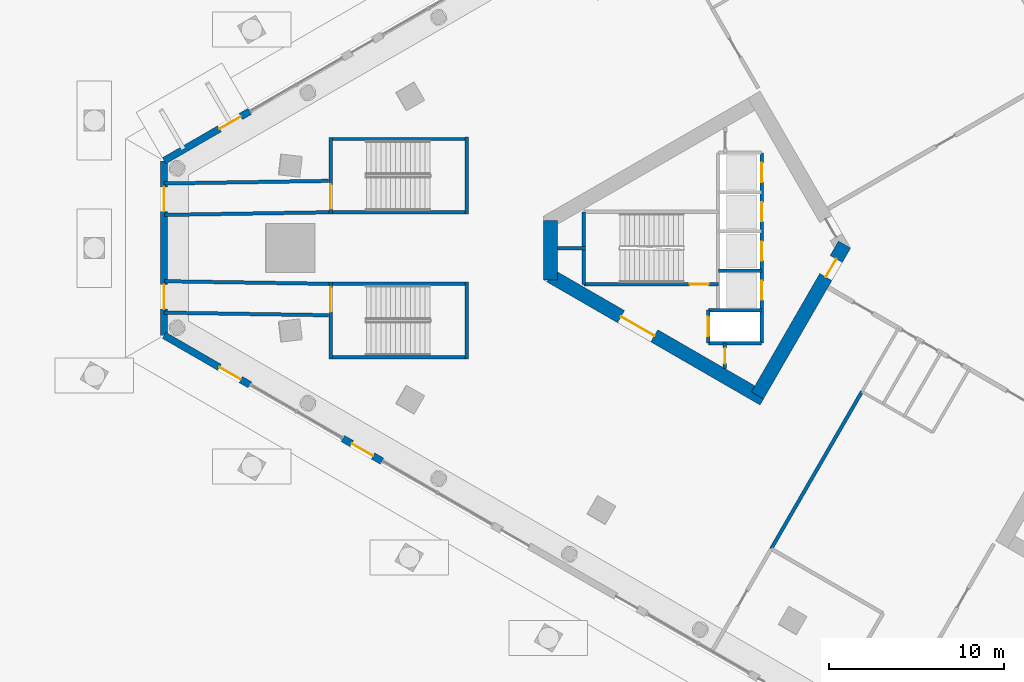
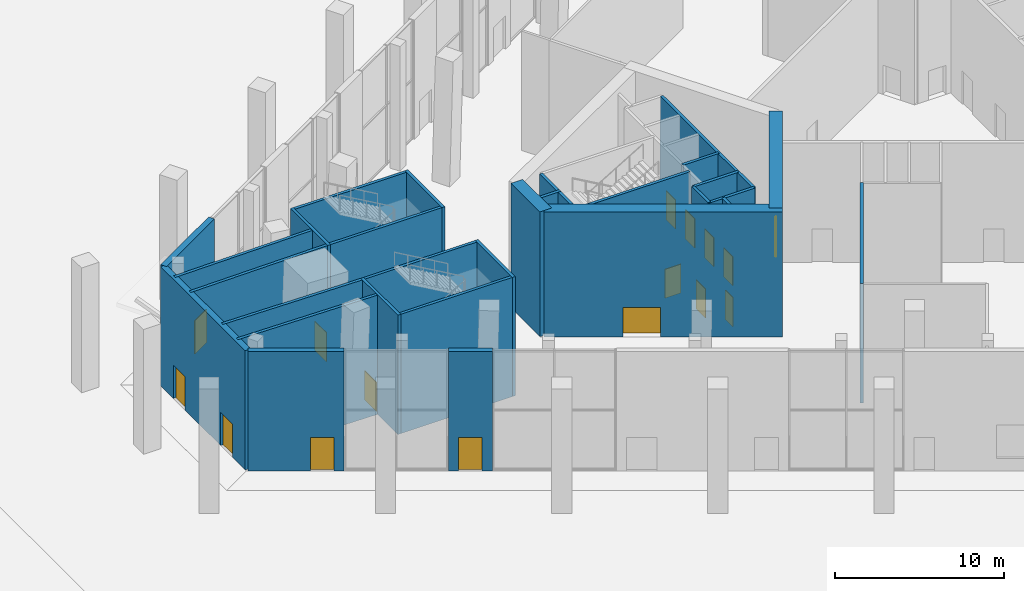
# One storey, part 26 of 63: 29 walls, 16 doors, 16 openings.
"""IFC4 building model written with IfcOpenShell, lengths in metres."""

from ifc_helpers import new_model, si_unit, direction, frame, frame_2d, origin, place, context, subcontext, project, spatial, rectangle, extrude, material, layer, layer_set, type_object, element, fill, save


model = new_model("IFC4")

# Units and contexts
model_context = context("Model", 3, precision=1e-05, world=origin(), true_north=direction((0.0, 1.0)))
body_context = subcontext(model_context, "Body", "Model", "MODEL_VIEW")
ifc_project = project(units=[si_unit("LENGTHUNIT", "METRE"), si_unit("AREAUNIT", "SQUARE_METRE"), si_unit("VOLUMEUNIT", "CUBIC_METRE"), si_unit("PLANEANGLEUNIT", "RADIAN"), si_unit("MASSUNIT", "GRAM", prefix="KILO")], contexts=[model_context])

# Site, building, storey
site_placement = place(None, origin())
site = spatial("IfcSite", under=ifc_project, at=site_placement, CompositionType="ELEMENT")
building_placement = place(site_placement, origin())
building = spatial("IfcBuilding", under=site, at=building_placement, Name="Jabali Bay Hotel Tower and Convention Centre", CompositionType="ELEMENT")
storey_placement = place(building_placement, origin())
storey = spatial("IfcBuildingStorey", under=building, at=storey_placement, Name="L00", CompositionType="ELEMENT", Elevation=0.0)

# Wall
ifc_material_1 = material(Name="Concrete C40", Category="concrete")
ifc_layer_1 = layer(ifc_material_1, 0.199951171875)
ifc_layer_set_1 = layer_set([ifc_layer_1], Name="Concrete C40")
wall_type_1 = type_object("IfcWallType", Name="Core partition wall 200", PredefinedType="PARTITIONING", material=ifc_layer_set_1)
wall_1_placement = place(storey_placement, frame((50.820068359375, 80.0, 0.0), z_axis=(0.0, 0.0, 1.0), x_axis=(-1.0, 0.0, 0.0)))
element("IfcWall", 1, at=wall_1_placement, inside=storey, type_object=wall_type_1, Name="Core wall 0.4 L00", PredefinedType="PARTITIONING", context=body_context, shape_type="SweptSolid", body=[
    extrude(rectangle(XDim=1.623046875, YDim=0.199951171875, at=frame_2d((0.8115234375, 0.0))), origin(), (0.0, 0.0, 1.0), 8.60009765625),
])

# Wall, opening, door
wall_2_placement = place(storey_placement, frame((58.800048828125, 74.550048828125, 0.0), z_axis=(0.0, 0.0, 1.0), x_axis=(0.0, -1.0, 0.0)))
wall_2 = element("IfcWall", 2, at=wall_2_placement, inside=storey, type_object=wall_type_1, Name="Core wall 0.11 L00", PredefinedType="PARTITIONING", context=body_context, shape_type="SweptSolid", body=[
    extrude(rectangle(XDim=1.455078125, YDim=0.199951171875, at=frame_2d((0.7275390625, 0.0))), origin(), (0.0, 0.0, 1.0), 8.60009765625),
])
opening_1_placement = place(wall_2_placement, frame((0.277587890625, 0.0, 0.0)))
opening_1 = element("IfcOpeningElement", 3, at=opening_1_placement, cuts=wall_2, Name="Opening D108", PredefinedType="OPENING", context=body_context, shape_type="SweptSolid", body=[
    extrude(rectangle(XDim=0.89990234375, YDim=2.10009765625, at=frame_2d((0.449951171875, 1.050048828125))), frame((0.0, 0.1103515625, 0.0), z_axis=(0.0, -1.0, 0.0), x_axis=(1.0, 0.0, 0.0)), (0.0, 0.0, 1.0), 0.220947265625),
])
ifc_material_2 = material(Name="Fire-rated steel door", Category="steel")
door_type_1 = type_object("IfcDoorType", Name="Vestibule fire door 900 x 2100", OperationType="NOTDEFINED", PredefinedType="NOTDEFINED", material=ifc_material_2)
door_1_placement = place(opening_1_placement, origin())
door_1 = element("IfcDoor", 4, at=door_1_placement, inside=storey, type_object=door_type_1, Name="Vestibule fire door D108", OperationType="SINGLE_SWING_LEFT", OverallHeight=2.10009765625, OverallWidth=0.89990234375, PredefinedType="NOTDEFINED", context=body_context, shape_type="SweptSolid", body=[
    extrude(rectangle(XDim=0.89990234375, YDim=2.10009765625, at=frame_2d((0.449951171875, 1.050048828125))), frame((0.0, 0.02490234375, 0.0), z_axis=(0.0, -1.0, 0.0), x_axis=(1.0, 0.0, 0.0)), (0.0, 0.0, 1.0), 0.050048828125),
])
fill(opening_1, door_1)

# Wall
ifc_layer_2 = layer(ifc_material_1, 0.199951171875)
ifc_layer_set_2 = layer_set([ifc_layer_2], Name="Concrete C40")
wall_type_2 = type_object("IfcWallType", Name="Core stair wall 200", PredefinedType="SOLIDWALL", material=ifc_layer_set_2)
wall_3_placement = place(storey_placement, frame((60.89990234375, 78.699951171875, 0.0), z_axis=(0.0, 0.0, 1.0), x_axis=(-1.0, 0.0, 0.0)))
element("IfcWall", 5, at=wall_3_placement, inside=storey, type_object=wall_type_2, Name="Core wall 0.5 L00", PredefinedType="SOLIDWALL", context=body_context, shape_type="SweptSolid", body=[
    extrude(rectangle(XDim=2.47998046875, YDim=0.199951171875, at=frame_2d((1.239990234375, 0.0))), origin(), (0.0, 0.0, 1.0), 8.60009765625),
])

# Wall, opening, door
wall_4_placement = place(storey_placement, frame((58.419921875, 77.925048828125, 0.0), z_axis=(0.0, 0.0, 1.0), x_axis=(-1.0, 0.0, 0.0)))
wall_4 = element("IfcWall", 6, at=wall_4_placement, inside=storey, type_object=wall_type_2, Name="Core wall 0.6 L00", PredefinedType="SOLIDWALL", context=body_context, shape_type="SweptSolid", body=[
    extrude(rectangle(XDim=7.699951171875, YDim=0.199951171875, at=frame_2d((3.85009765625, 0.0))), origin(), (0.0, 0.0, 1.0), 8.60009765625),
])
opening_2_placement = place(wall_4_placement, frame((0.550048828125, 0.0, 0.0)))
opening_2 = element("IfcOpeningElement", 7, at=opening_2_placement, cuts=wall_4, Name="Opening D110", PredefinedType="OPENING", context=body_context, shape_type="SweptSolid", body=[
    extrude(rectangle(XDim=1.10009765625, YDim=2.10009765625, at=frame_2d((0.550048828125, 1.050048828125))), frame((0.0, 0.1103515625, 0.0), z_axis=(0.0, -1.0, 0.0), x_axis=(1.0, 0.0, 0.0)), (0.0, 0.0, 1.0), 0.220947265625),
])
door_type_2 = type_object("IfcDoorType", Name="Stair fire door 1100 x 2100", OperationType="NOTDEFINED", PredefinedType="NOTDEFINED", material=ifc_material_2)
door_2_placement = place(opening_2_placement, origin())
door_2 = element("IfcDoor", 8, at=door_2_placement, inside=storey, type_object=door_type_2, Name="Stair fire door D110", OperationType="SINGLE_SWING_RIGHT", OverallHeight=2.10009765625, OverallWidth=1.10009765625, PredefinedType="NOTDEFINED", context=body_context, shape_type="SweptSolid", body=[
    extrude(rectangle(XDim=1.10009765625, YDim=2.10009765625, at=frame_2d((0.550048828125, 1.050048828125))), frame((0.0, 0.02490234375, 0.0), z_axis=(0.0, -1.0, 0.0), x_axis=(1.0, 0.0, 0.0)), (0.0, 0.0, 1.0), 0.050048828125),
])
fill(opening_2, door_2)

# Walls
for number, where, z_axis, x_axis, name in (
    (9, (60.89990234375, 76.449951171875, 0.0), (0.0, 0.0, 1.0), (-1.0, 0.0, 0.0), "Core wall 0.7 L00"),
    (10, (60.89990234375, 74.550048828125, 0.0), (0.0, 0.0, 1.0), (-1.0, 0.0, 0.0), "Core wall 0.8 L00"),
):
    element("IfcWall", number, at=place(storey_placement, frame(where, z_axis=z_axis, x_axis=x_axis)), inside=storey, type_object=wall_type_2, Name=name, PredefinedType="SOLIDWALL", context=body_context, shape_type="SweptSolid", body=[
        extrude(rectangle(XDim=3.0498046875, YDim=0.199951171875, at=frame_2d((1.52490234375, 0.0))), origin(), (0.0, 0.0, 1.0), 8.60009765625),
    ])

# Wall, openings, doors
wall_5_placement = place(storey_placement, frame((60.89990234375, 85.449951171875, 0.0), z_axis=(0.0, 0.0, 1.0), x_axis=(0.0, -1.0, 0.0)))
wall_5 = element("IfcWall", 11, at=wall_5_placement, inside=storey, type_object=wall_type_2, Name="Core wall 0.9 L00", PredefinedType="SOLIDWALL", context=body_context, shape_type="SweptSolid", body=[
    extrude(rectangle(XDim=10.89990234375, YDim=0.199951171875, at=frame_2d((5.449951171875, 0.0))), origin(), (0.0, 0.0, 1.0), 8.60009765625),
])
opening_3_placement = place(wall_5_placement, frame((0.574951171875, 0.0, 0.0)))
opening_3 = element("IfcOpeningElement", 12, at=opening_3_placement, cuts=wall_5, Name="Opening LD1-L00", PredefinedType="OPENING", context=body_context, shape_type="SweptSolid", body=[
    extrude(rectangle(XDim=1.10009765625, YDim=2.10009765625, at=frame_2d((0.550048828125, 1.050048828125))), frame((0.0, 0.1103515625, 0.0), z_axis=(0.0, -1.0, 0.0), x_axis=(1.0, 0.0, 0.0)), (0.0, 0.0, 1.0), 0.220947265625),
])
opening_4_placement = place(wall_5_placement, frame((2.824951171875, 0.0, 0.0)))
opening_4 = element("IfcOpeningElement", 13, at=opening_4_placement, cuts=wall_5, Name="Opening LD2-L00", PredefinedType="OPENING", context=body_context, shape_type="SweptSolid", body=[
    extrude(rectangle(XDim=1.10009765625, YDim=2.10009765625, at=frame_2d((0.550048828125, 1.050048828125))), frame((0.0, 0.1103515625, 0.0), z_axis=(0.0, -1.0, 0.0), x_axis=(1.0, 0.0, 0.0)), (0.0, 0.0, 1.0), 0.220947265625),
])
opening_5_placement = place(wall_5_placement, frame((5.074951171875, 0.0, 0.0)))
opening_5 = element("IfcOpeningElement", 14, at=opening_5_placement, cuts=wall_5, Name="Opening LD3-L00", PredefinedType="OPENING", context=body_context, shape_type="SweptSolid", body=[
    extrude(rectangle(XDim=1.10009765625, YDim=2.10009765625, at=frame_2d((0.550048828125, 1.050048828125))), frame((0.0, 0.1103515625, 0.0), z_axis=(0.0, -1.0, 0.0), x_axis=(1.0, 0.0, 0.0)), (0.0, 0.0, 1.0), 0.220947265625),
])
opening_6_placement = place(wall_5_placement, frame((7.324951171875, 0.0, 0.0)))
opening_6 = element("IfcOpeningElement", 15, at=opening_6_placement, cuts=wall_5, Name="Opening LD4-L00", PredefinedType="OPENING", context=body_context, shape_type="SweptSolid", body=[
    extrude(rectangle(XDim=1.10009765625, YDim=2.10009765625, at=frame_2d((0.550048828125, 1.050048828125))), frame((0.0, 0.1103515625, 0.0), z_axis=(0.0, -1.0, 0.0), x_axis=(1.0, 0.0, 0.0)), (0.0, 0.0, 1.0), 0.220947265625),
])
ifc_material_3 = material(Name="Stainless steel landing door", Category="steel")
door_type_3 = type_object("IfcDoorType", Name="Landing door 1100 x 2100", OperationType="NOTDEFINED", PredefinedType="NOTDEFINED", material=ifc_material_3)
door_3_placement = place(opening_3_placement, origin())
door_3 = element("IfcDoor", 16, at=door_3_placement, inside=storey, type_object=door_type_3, Name="Landing doors LD1-L00", OperationType="SLIDING_TO_RIGHT", OverallHeight=2.10009765625, OverallWidth=1.10009765625, PredefinedType="NOTDEFINED", context=body_context, shape_type="SweptSolid", body=[
    extrude(rectangle(XDim=1.10009765625, YDim=2.10009765625, at=frame_2d((0.550048828125, 1.050048828125))), frame((0.0, 0.02490234375, 0.0), z_axis=(0.0, -1.0, 0.0), x_axis=(1.0, 0.0, 0.0)), (0.0, 0.0, 1.0), 0.050048828125),
])
fill(opening_3, door_3)
door_4_placement = place(opening_4_placement, origin())
door_4 = element("IfcDoor", 17, at=door_4_placement, inside=storey, type_object=door_type_3, Name="Landing doors LD2-L00", OperationType="SLIDING_TO_LEFT", OverallHeight=2.10009765625, OverallWidth=1.10009765625, PredefinedType="NOTDEFINED", context=body_context, shape_type="SweptSolid", body=[
    extrude(rectangle(XDim=1.10009765625, YDim=2.10009765625, at=frame_2d((0.550048828125, 1.050048828125))), frame((0.0, 0.02490234375, 0.0), z_axis=(0.0, -1.0, 0.0), x_axis=(1.0, 0.0, 0.0)), (0.0, 0.0, 1.0), 0.050048828125),
])
fill(opening_4, door_4)
door_5_placement = place(opening_5_placement, origin())
door_5 = element("IfcDoor", 18, at=door_5_placement, inside=storey, type_object=door_type_3, Name="Landing doors LD3-L00", OperationType="SLIDING_TO_RIGHT", OverallHeight=2.10009765625, OverallWidth=1.10009765625, PredefinedType="NOTDEFINED", context=body_context, shape_type="SweptSolid", body=[
    extrude(rectangle(XDim=1.10009765625, YDim=2.10009765625, at=frame_2d((0.550048828125, 1.050048828125))), frame((0.0, 0.02490234375, 0.0), z_axis=(0.0, -1.0, 0.0), x_axis=(1.0, 0.0, 0.0)), (0.0, 0.0, 1.0), 0.050048828125),
])
fill(opening_5, door_5)
door_6_placement = place(opening_6_placement, origin())
door_6 = element("IfcDoor", 19, at=door_6_placement, inside=storey, type_object=door_type_3, Name="Landing doors LD4-L00", OperationType="SLIDING_TO_LEFT", OverallHeight=2.10009765625, OverallWidth=1.10009765625, PredefinedType="NOTDEFINED", context=body_context, shape_type="SweptSolid", body=[
    extrude(rectangle(XDim=1.10009765625, YDim=2.10009765625, at=frame_2d((0.550048828125, 1.050048828125))), frame((0.0, 0.02490234375, 0.0), z_axis=(0.0, -1.0, 0.0), x_axis=(1.0, 0.0, 0.0)), (0.0, 0.0, 1.0), 0.050048828125),
])
fill(opening_6, door_6)

# Wall, opening, door
wall_6_placement = place(storey_placement, frame((57.85009765625, 76.449951171875, 0.0), z_axis=(0.0, 0.0, 1.0), x_axis=(0.0, -1.0, 0.0)))
wall_6 = element("IfcWall", 20, at=wall_6_placement, inside=storey, type_object=wall_type_2, Name="Core wall 0.13 L00", PredefinedType="SOLIDWALL", context=body_context, shape_type="SweptSolid", body=[
    extrude(rectangle(XDim=1.89990234375, YDim=0.199951171875, at=frame_2d((0.949951171875, 0.0))), origin(), (0.0, 0.0, 1.0), 8.60009765625),
])
opening_7_placement = place(wall_6_placement, frame((0.39990234375, 0.0, 0.0)))
opening_7 = element("IfcOpeningElement", 21, at=opening_7_placement, cuts=wall_6, Name="Opening LD5-L00", PredefinedType="OPENING", context=body_context, shape_type="SweptSolid", body=[
    extrude(rectangle(XDim=1.10009765625, YDim=2.10009765625, at=frame_2d((0.550048828125, 1.050048828125))), frame((0.0, 0.1103515625, 0.0), z_axis=(0.0, -1.0, 0.0), x_axis=(1.0, 0.0, 0.0)), (0.0, 0.0, 1.0), 0.220947265625),
])
door_7_placement = place(opening_7_placement, origin())
door_7 = element("IfcDoor", 22, at=door_7_placement, inside=storey, type_object=door_type_3, Name="Landing doors LD5-L00", OperationType="SLIDING_TO_RIGHT", OverallHeight=2.10009765625, OverallWidth=1.10009765625, PredefinedType="NOTDEFINED", context=body_context, shape_type="SweptSolid", body=[
    extrude(rectangle(XDim=1.10009765625, YDim=2.10009765625, at=frame_2d((0.550048828125, 1.050048828125))), frame((0.0, 0.02490234375, 0.0), z_axis=(0.0, -1.0, 0.0), x_axis=(1.0, 0.0, 0.0)), (0.0, 0.0, 1.0), 0.050048828125),
])
fill(opening_7, door_7)

# Walls
wall_7_placement = place(storey_placement, frame((50.719970703125, 82.074951171875, 0.0), z_axis=(0.0, 0.0, 1.0), x_axis=(0.0, -1.0, 0.0)))
element("IfcWall", 23, at=wall_7_placement, inside=storey, type_object=wall_type_2, Name="Core wall 0.14 L00", PredefinedType="SOLIDWALL", context=body_context, shape_type="SweptSolid", body=[
    extrude(rectangle(XDim=4.14990234375, YDim=0.199951171875, at=frame_2d((2.074951171875, 0.0))), origin(), (0.0, 0.0, 1.0), 8.60009765625),
])
ifc_material_4 = material(Name="Concrete C60", Category="concrete")
ifc_layer_3 = layer(ifc_material_4, 0.800048828125)
ifc_layer_set_3 = layer_set([ifc_layer_3], Name="Concrete C60")
wall_type_3 = type_object("IfcWallType", Name="Core wall 800", PredefinedType="SHEAR", material=ifc_layer_set_3)
wall_8_placement = place(storey_placement, frame((48.796875, 81.591796875, 0.0), z_axis=(0.0, 0.0, 1.0), x_axis=(0.0, -1.0, 0.0)))
element("IfcWall", 24, at=wall_8_placement, inside=storey, type_object=wall_type_3, Name="Core wall 1.3 L00", PredefinedType="SHEAR", context=body_context, shape_type="SweptSolid", body=[
    extrude(rectangle(XDim=3.41455078125, YDim=0.800048828125, at=frame_2d((1.707275390625, 0.0))), origin(), (0.0, 0.0, 1.0), 9.0),
])

# Wall, opening, door
wall_9_placement = place(storey_placement, frame((48.796875, 78.408203125, 0.0), z_axis=(0.0, 0.0, 1.0), x_axis=(0.866032504327, -0.499987701298, 0.0)))
wall_9 = element("IfcWall", 25, at=wall_9_placement, inside=storey, type_object=wall_type_3, Name="Core wall 1.4 L00", PredefinedType="SHEAR", context=body_context, shape_type="SweptSolid", body=[
    extrude(rectangle(XDim=14.102294921875, YDim=0.800048828125, at=frame_2d((7.05126953125, 0.0))), origin(), (0.0, 0.0, 1.0), 9.0),
])
opening_8_placement = place(wall_9_placement, frame((4.677001953125, 0.0, 0.0)))
opening_8 = element("IfcOpeningElement", 26, at=opening_8_placement, cuts=wall_9, Name="Opening D111", PredefinedType="OPENING", context=body_context, shape_type="SweptSolid", body=[
    extrude(rectangle(XDim=2.199951171875, YDim=2.10009765625, at=frame_2d((1.10009765625, 1.050048828125))), frame((0.0, 0.41064453125, 0.0), z_axis=(0.0, -1.0, 0.0), x_axis=(1.0, 0.0, 0.0)), (0.0, 0.0, 1.0), 0.821044921875),
])
door_type_4 = type_object("IfcDoorType", Name="Stair exit door 2200 x 2100", OperationType="NOTDEFINED", PredefinedType="NOTDEFINED", material=ifc_material_2)
door_8_placement = place(opening_8_placement, origin())
door_8 = element("IfcDoor", 27, at=door_8_placement, inside=storey, type_object=door_type_4, Name="Stair exit door D111", OperationType="SINGLE_SWING_RIGHT", OverallHeight=2.10009765625, OverallWidth=2.199951171875, PredefinedType="NOTDEFINED", context=body_context, shape_type="SweptSolid", body=[
    extrude(rectangle(XDim=2.199951171875, YDim=2.10009765625, at=frame_2d((1.10009765625, 1.050048828125))), frame((0.0, 0.02490234375, 0.0), z_axis=(0.0, -1.0, 0.0), x_axis=(1.0, 0.0, 0.0)), (0.0, 0.0, 1.0), 0.050048828125),
])
fill(opening_8, door_8)

wall_10_placement = place(storey_placement, frame((60.66357421875, 71.55712890625, 0.0), z_axis=(0.0, 0.0, 1.0), x_axis=(0.50000409368, 0.866023040284, 0.0)))
wall_10 = element("IfcWall", 28, at=wall_10_placement, inside=storey, type_object=wall_type_3, Name="Core wall 1.5 L00", PredefinedType="SHEAR", context=body_context, shape_type="SweptSolid", body=[
    extrude(rectangle(XDim=9.97998046875, YDim=0.800048828125, at=frame_2d((4.989990234375, 0.0))), origin(), (0.0, 0.0, 1.0), 9.0),
])
opening_9_placement = place(wall_10_placement, frame((7.830078125, 0.0, 0.0)))
opening_9 = element("IfcOpeningElement", 29, at=opening_9_placement, cuts=wall_10, Name="Opening D107", PredefinedType="OPENING", context=body_context, shape_type="SweptSolid", body=[
    extrude(rectangle(XDim=1.199951171875, YDim=2.10009765625, at=frame_2d((0.60009765625, 1.050048828125))), frame((0.0, 0.41064453125, 0.0), z_axis=(0.0, -1.0, 0.0), x_axis=(1.0, 0.0, 0.0)), (0.0, 0.0, 1.0), 0.821044921875),
])
door_type_5 = type_object("IfcDoorType", Name="Corridor end fire door 1200 x 2100", OperationType="NOTDEFINED", PredefinedType="NOTDEFINED", material=ifc_material_2)
door_9_placement = place(opening_9_placement, origin())
door_9 = element("IfcDoor", 30, at=door_9_placement, inside=storey, type_object=door_type_5, Name="Corridor end fire door D107", OperationType="SINGLE_SWING_LEFT", OverallHeight=2.10009765625, OverallWidth=1.199951171875, PredefinedType="NOTDEFINED", context=body_context, shape_type="SweptSolid", body=[
    extrude(rectangle(XDim=1.199951171875, YDim=2.10009765625, at=frame_2d((0.60009765625, 1.050048828125))), frame((0.0, 0.02490234375, 0.0), z_axis=(0.0, -1.0, 0.0), x_axis=(1.0, 0.0, 0.0)), (0.0, 0.0, 1.0), 0.050048828125),
])
fill(opening_9, door_9)

# Wall
ifc_material_5 = material(Name="Plasterboard on steel stud", Category="steel")
ifc_layer_4 = layer(ifc_material_5, 0.199951171875)
ifc_layer_set_4 = layer_set([ifc_layer_4], Name="Plasterboard on steel stud")
wall_type_4 = type_object("IfcWallType", Name="Partition 200 party", PredefinedType="PARTITIONING", material=ifc_layer_set_4)
wall_11_placement = place(storey_placement, frame((61.44921875, 62.7666015625, 0.0), z_axis=(0.0, 0.0, 1.0), x_axis=(0.499999493275, 0.866025696342, 0.0)))
element("IfcWall", 31, at=wall_11_placement, inside=storey, type_object=wall_type_4, Name="Partition P01 L00 010", PredefinedType="PARTITIONING", context=body_context, shape_type="SweptSolid", body=[
    extrude(rectangle(XDim=10.39990234375, YDim=0.199951171875, at=frame_2d((5.199951171875, 0.0))), origin(), (0.0, 0.0, 1.0), 8.60009765625),
])

# Wall, opening, door
ifc_layer_5 = layer(ifc_material_1, 0.39990234375)
ifc_layer_set_5 = layer_set([ifc_layer_5], Name="Concrete C40")
wall_type_5 = type_object("IfcWallType", Name="Podium external wall 400", PredefinedType="SOLIDWALL", material=ifc_layer_set_5)
wall_12_placement = place(storey_placement, frame((26.66015625, 85.0, 0.0), z_axis=(0.0, 0.0, 1.0), x_axis=(0.866020773897, 0.500008019114, 0.0)))
wall_12 = element("IfcWall", 32, at=wall_12_placement, inside=storey, type_object=wall_type_5, Name="External wall north-west face L00", PredefinedType="SOLIDWALL", context=body_context, shape_type="SweptSolid", body=[
    extrude(rectangle(XDim=5.673828125, YDim=0.39990234375, at=frame_2d((2.8369140625, 0.0))), origin(), (0.0, 0.0, 1.0), 8.60009765625),
])
opening_10_placement = place(wall_12_placement, frame((3.673828125, 0.0, 0.0)))
opening_10 = element("IfcOpeningElement", 33, at=opening_10_placement, cuts=wall_12, Name="Opening ED2", PredefinedType="OPENING", context=body_context, shape_type="SweptSolid", body=[
    extrude(rectangle(XDim=1.39990234375, YDim=2.39990234375, at=frame_2d((0.699951171875, 1.199951171875))), frame((0.0, 0.21044921875, 0.0), z_axis=(0.0, -1.0, 0.0), x_axis=(1.0, 0.0, 0.0)), (0.0, 0.0, 1.0), 0.4208984375),
])
ifc_material_6 = material(Name="Glass", Category="glass")
door_type_6 = type_object("IfcDoorType", Name="Entrance door 1400 x 2400", OperationType="NOTDEFINED", PredefinedType="NOTDEFINED", material=ifc_material_6)
door_10_placement = place(opening_10_placement, origin())
door_10 = element("IfcDoor", 34, at=door_10_placement, inside=storey, type_object=door_type_6, Name="Entrance door", OperationType="SINGLE_SWING_RIGHT", OverallHeight=2.39990234375, OverallWidth=1.39990234375, PredefinedType="NOTDEFINED", context=body_context, shape_type="SweptSolid", body=[
    extrude(rectangle(XDim=1.39990234375, YDim=2.39990234375, at=frame_2d((0.699951171875, 1.199951171875))), frame((0.0, 0.02490234375, 0.0), z_axis=(0.0, -1.0, 0.0), x_axis=(1.0, 0.0, 0.0)), (0.0, 0.0, 1.0), 0.050048828125),
])
fill(opening_10, door_10)

# Wall, openings, doors
wall_13_placement = place(storey_placement, frame((26.66015625, 75.0, 0.0), z_axis=(0.0, 0.0, 1.0), x_axis=(0.0, 1.0, 0.0)))
wall_13 = element("IfcWall", 35, at=wall_13_placement, inside=storey, type_object=wall_type_5, Name="External wall west chamfer L00", PredefinedType="SOLIDWALL", context=body_context, shape_type="SweptSolid", body=[
    extrude(rectangle(XDim=10.0, YDim=0.39990234375, at=frame_2d((5.0, 0.0))), origin(), (0.0, 0.0, 1.0), 8.60009765625),
])
opening_11_placement = place(wall_13_placement, frame((7.10009765625, 0.0, 0.0)))
opening_11 = element("IfcOpeningElement", 36, at=opening_11_placement, cuts=wall_13, Name="Opening ED4", PredefinedType="OPENING", context=body_context, shape_type="SweptSolid", body=[
    extrude(rectangle(XDim=1.39990234375, YDim=2.39990234375, at=frame_2d((0.699951171875, 1.199951171875))), frame((0.0, 0.21044921875, 0.0), z_axis=(0.0, -1.0, 0.0), x_axis=(1.0, 0.0, 0.0)), (0.0, 0.0, 1.0), 0.4208984375),
])
opening_12_placement = place(wall_13_placement, frame((1.5, 0.0, 0.0)))
opening_12 = element("IfcOpeningElement", 37, at=opening_12_placement, cuts=wall_13, Name="Opening ED4", PredefinedType="OPENING", context=body_context, shape_type="SweptSolid", body=[
    extrude(rectangle(XDim=1.39990234375, YDim=2.39990234375, at=frame_2d((0.699951171875, 1.199951171875))), frame((0.0, 0.21044921875, 0.0), z_axis=(0.0, -1.0, 0.0), x_axis=(1.0, 0.0, 0.0)), (0.0, 0.0, 1.0), 0.4208984375),
])
ifc_material_7 = material(Name="Steel Q355B", Category="steel")
door_type_7 = type_object("IfcDoorType", Name="Stair exit door 1400 x 2400", OperationType="NOTDEFINED", PredefinedType="NOTDEFINED", material=ifc_material_7)
door_11_placement = place(opening_11_placement, origin())
door_11 = element("IfcDoor", 38, at=door_11_placement, inside=storey, type_object=door_type_7, Name="Stair PS2 exit door", OperationType="DOUBLE_DOOR_SINGLE_SWING", OverallHeight=2.39990234375, OverallWidth=1.39990234375, PredefinedType="NOTDEFINED", context=body_context, shape_type="SweptSolid", body=[
    extrude(rectangle(XDim=1.39990234375, YDim=2.39990234375, at=frame_2d((0.699951171875, 1.199951171875))), frame((0.0, 0.02490234375, 0.0), z_axis=(0.0, -1.0, 0.0), x_axis=(1.0, 0.0, 0.0)), (0.0, 0.0, 1.0), 0.050048828125),
])
fill(opening_11, door_11)
door_12_placement = place(opening_12_placement, origin())
door_12 = element("IfcDoor", 39, at=door_12_placement, inside=storey, type_object=door_type_7, Name="Stair PS1 exit door", OperationType="DOUBLE_DOOR_SINGLE_SWING", OverallHeight=2.39990234375, OverallWidth=1.39990234375, PredefinedType="NOTDEFINED", context=body_context, shape_type="SweptSolid", body=[
    extrude(rectangle(XDim=1.39990234375, YDim=2.39990234375, at=frame_2d((0.699951171875, 1.199951171875))), frame((0.0, 0.02490234375, 0.0), z_axis=(0.0, -1.0, 0.0), x_axis=(1.0, 0.0, 0.0)), (0.0, 0.0, 1.0), 0.050048828125),
])
fill(opening_12, door_12)

# Wall, opening, door
wall_14_placement = place(storey_placement, frame((31.57373046875, 72.1630859375, 0.0), z_axis=(0.0, 0.0, 1.0), x_axis=(-0.866020773897, 0.500008019114, 0.0)))
wall_14 = element("IfcWall", 40, at=wall_14_placement, inside=storey, type_object=wall_type_5, Name="External wall south-west face L00", PredefinedType="SOLIDWALL", context=body_context, shape_type="SweptSolid", body=[
    extrude(rectangle(XDim=5.673828125, YDim=0.39990234375, at=frame_2d((2.8369140625, 0.0))), origin(), (0.0, 0.0, 1.0), 8.60009765625),
])
opening_13_placement = place(wall_14_placement, frame((0.60009765625, 0.0, 0.0)))
opening_13 = element("IfcOpeningElement", 41, at=opening_13_placement, cuts=wall_14, Name="Opening ED2", PredefinedType="OPENING", context=body_context, shape_type="SweptSolid", body=[
    extrude(rectangle(XDim=1.39990234375, YDim=2.39990234375, at=frame_2d((0.699951171875, 1.199951171875))), frame((0.0, 0.21044921875, 0.0), z_axis=(0.0, -1.0, 0.0), x_axis=(1.0, 0.0, 0.0)), (0.0, 0.0, 1.0), 0.4208984375),
])
door_13_placement = place(opening_13_placement, origin())
door_13 = element("IfcDoor", 42, at=door_13_placement, inside=storey, type_object=door_type_6, Name="Entrance door", OperationType="SINGLE_SWING_LEFT", OverallHeight=2.39990234375, OverallWidth=1.39990234375, PredefinedType="NOTDEFINED", context=body_context, shape_type="SweptSolid", body=[
    extrude(rectangle(XDim=1.39990234375, YDim=2.39990234375, at=frame_2d((0.699951171875, 1.199951171875))), frame((0.0, 0.02490234375, 0.0), z_axis=(0.0, -1.0, 0.0), x_axis=(1.0, 0.0, 0.0)), (0.0, 0.0, 1.0), 0.050048828125),
])
fill(opening_13, door_13)

wall_15_placement = place(storey_placement, frame((39.1494140625, 67.789306640625, 0.0), z_axis=(0.0, 0.0, 1.0), x_axis=(-0.866021400173, 0.500006934395, 0.0)))
wall_15 = element("IfcWall", 43, at=wall_15_placement, inside=storey, type_object=wall_type_5, Name="External wall south-west face L00", PredefinedType="SOLIDWALL", context=body_context, shape_type="SweptSolid", body=[
    extrude(rectangle(XDim=2.60009765625, YDim=0.39990234375, at=frame_2d((1.300048828125, 0.0))), origin(), (0.0, 0.0, 1.0), 8.60009765625),
])
opening_14_placement = place(wall_15_placement, frame((0.60009765625, 0.0, 0.0)))
opening_14 = element("IfcOpeningElement", 44, at=opening_14_placement, cuts=wall_15, Name="Opening ED2", PredefinedType="OPENING", context=body_context, shape_type="SweptSolid", body=[
    extrude(rectangle(XDim=1.39990234375, YDim=2.39990234375, at=frame_2d((0.699951171875, 1.199951171875))), frame((0.0, 0.21044921875, 0.0), z_axis=(0.0, -1.0, 0.0), x_axis=(1.0, 0.0, 0.0)), (0.0, 0.0, 1.0), 0.4208984375),
])
door_14_placement = place(opening_14_placement, origin())
door_14 = element("IfcDoor", 45, at=door_14_placement, inside=storey, type_object=door_type_6, Name="Entrance door", OperationType="SINGLE_SWING_RIGHT", OverallHeight=2.39990234375, OverallWidth=1.39990234375, PredefinedType="NOTDEFINED", context=body_context, shape_type="SweptSolid", body=[
    extrude(rectangle(XDim=1.39990234375, YDim=2.39990234375, at=frame_2d((0.699951171875, 1.199951171875))), frame((0.0, 0.02490234375, 0.0), z_axis=(0.0, -1.0, 0.0), x_axis=(1.0, 0.0, 0.0)), (0.0, 0.0, 1.0), 0.050048828125),
])
fill(opening_14, door_14)

ifc_layer_6 = layer(ifc_material_1, 0.199951171875)
ifc_layer_set_6 = layer_set([ifc_layer_6], Name="Concrete C40")
wall_type_6 = type_object("IfcWallType", Name="Podium stair enclosure wall 200", PredefinedType="SOLIDWALL", material=ifc_layer_set_6)
wall_16_placement = place(storey_placement, frame((36.199951171875, 78.050048828125, 0.0), z_axis=(0.0, 0.0, 1.0), x_axis=(0.0, -1.0, 0.0)))
wall_16 = element("IfcWall", 46, at=wall_16_placement, inside=storey, type_object=wall_type_6, Name="Podium stair wall 1.1 L00", PredefinedType="SOLIDWALL", context=body_context, shape_type="SweptSolid", body=[
    extrude(rectangle(XDim=4.400146484375, YDim=0.199951171875, at=frame_2d((2.2001953125, 0.0))), origin(), (0.0, 0.0, 1.0), 8.60009765625),
])
opening_15_placement = place(wall_16_placement, frame((0.300048828125, 0.0, 0.0)))
opening_15 = element("IfcOpeningElement", 47, at=opening_15_placement, cuts=wall_16, Name="Opening D1736", PredefinedType="OPENING", context=body_context, shape_type="SweptSolid", body=[
    extrude(rectangle(XDim=1.39990234375, YDim=2.10009765625, at=frame_2d((0.699951171875, 1.050048828125))), frame((0.0, 0.1103515625, 0.0), z_axis=(0.0, -1.0, 0.0), x_axis=(1.0, 0.0, 0.0)), (0.0, 0.0, 1.0), 0.220947265625),
])
door_type_8 = type_object("IfcDoorType", Name="Podium stair fire door 1400 x 2100", OperationType="NOTDEFINED", PredefinedType="NOTDEFINED", material=ifc_material_2)
door_15_placement = place(opening_15_placement, origin())
door_15 = element("IfcDoor", 48, at=door_15_placement, inside=storey, type_object=door_type_8, Name="Podium stair fire door D1736", OperationType="SINGLE_SWING_RIGHT", OverallHeight=2.10009765625, OverallWidth=1.39990234375, PredefinedType="NOTDEFINED", context=body_context, shape_type="SweptSolid", body=[
    extrude(rectangle(XDim=1.39990234375, YDim=2.10009765625, at=frame_2d((0.699951171875, 1.050048828125))), frame((0.0, 0.02490234375, 0.0), z_axis=(0.0, -1.0, 0.0), x_axis=(1.0, 0.0, 0.0)), (0.0, 0.0, 1.0), 0.050048828125),
])
fill(opening_15, door_15)

# Walls
wall_17_placement = place(storey_placement, frame((36.10009765625, 73.75, 0.0), z_axis=(0.0, 0.0, 1.0), x_axis=(1.0, 0.0, 0.0)))
element("IfcWall", 49, at=wall_17_placement, inside=storey, type_object=wall_type_6, Name="Podium stair wall 1.2 L00", PredefinedType="SOLIDWALL", context=body_context, shape_type="SweptSolid", body=[
    extrude(rectangle(XDim=8.0, YDim=0.199951171875, at=frame_2d((4.0, 0.0))), origin(), (0.0, 0.0, 1.0), 8.60009765625),
])
wall_18_placement = place(storey_placement, frame((44.0, 73.64990234375, 0.0), z_axis=(0.0, 0.0, 1.0), x_axis=(0.0, 1.0, 0.0)))
element("IfcWall", 50, at=wall_18_placement, inside=storey, type_object=wall_type_6, Name="Podium stair wall 1.3 L00", PredefinedType="SOLIDWALL", context=body_context, shape_type="SweptSolid", body=[
    extrude(rectangle(XDim=4.400146484375, YDim=0.199951171875, at=frame_2d((2.2001953125, 0.0))), origin(), (0.0, 0.0, 1.0), 8.60009765625),
])
wall_19_placement = place(storey_placement, frame((44.10009765625, 77.949951171875, 0.0), z_axis=(0.0, 0.0, 1.0), x_axis=(-1.0, 0.0, 0.0)))
element("IfcWall", 51, at=wall_19_placement, inside=storey, type_object=wall_type_6, Name="Podium stair wall 1.4 L00", PredefinedType="SOLIDWALL", context=body_context, shape_type="SweptSolid", body=[
    extrude(rectangle(XDim=8.0, YDim=0.199951171875, at=frame_2d((4.0, 0.0))), origin(), (0.0, 0.0, 1.0), 8.60009765625),
])

# Wall, opening, door
wall_20_placement = place(storey_placement, frame((36.199951171875, 86.35009765625, 0.0), z_axis=(0.0, 0.0, 1.0), x_axis=(0.0, -1.0, 0.0)))
wall_20 = element("IfcWall", 52, at=wall_20_placement, inside=storey, type_object=wall_type_6, Name="Podium stair wall 2.1 L00", PredefinedType="SOLIDWALL", context=body_context, shape_type="SweptSolid", body=[
    extrude(rectangle(XDim=4.400146484375, YDim=0.199951171875, at=frame_2d((2.2001953125, 0.0))), origin(), (0.0, 0.0, 1.0), 8.60009765625),
])
opening_16_placement = place(wall_20_placement, frame((2.699951171875, 0.0, 0.0)))
opening_16 = element("IfcOpeningElement", 53, at=opening_16_placement, cuts=wall_20, Name="Opening D1741", PredefinedType="OPENING", context=body_context, shape_type="SweptSolid", body=[
    extrude(rectangle(XDim=1.39990234375, YDim=2.10009765625, at=frame_2d((0.699951171875, 1.050048828125))), frame((0.0, 0.1103515625, 0.0), z_axis=(0.0, -1.0, 0.0), x_axis=(1.0, 0.0, 0.0)), (0.0, 0.0, 1.0), 0.220947265625),
])
door_16_placement = place(opening_16_placement, origin())
door_16 = element("IfcDoor", 54, at=door_16_placement, inside=storey, type_object=door_type_8, Name="Podium stair fire door D1741", OperationType="SINGLE_SWING_RIGHT", OverallHeight=2.10009765625, OverallWidth=1.39990234375, PredefinedType="NOTDEFINED", context=body_context, shape_type="SweptSolid", body=[
    extrude(rectangle(XDim=1.39990234375, YDim=2.10009765625, at=frame_2d((0.699951171875, 1.050048828125))), frame((0.0, 0.02490234375, 0.0), z_axis=(0.0, -1.0, 0.0), x_axis=(1.0, 0.0, 0.0)), (0.0, 0.0, 1.0), 0.050048828125),
])
fill(opening_16, door_16)

# Walls
wall_21_placement = place(storey_placement, frame((36.10009765625, 82.050048828125, 0.0), z_axis=(0.0, 0.0, 1.0), x_axis=(1.0, 0.0, 0.0)))
element("IfcWall", 55, at=wall_21_placement, inside=storey, type_object=wall_type_6, Name="Podium stair wall 2.2 L00", PredefinedType="SOLIDWALL", context=body_context, shape_type="SweptSolid", body=[
    extrude(rectangle(XDim=8.0, YDim=0.199951171875, at=frame_2d((4.0, 0.0))), origin(), (0.0, 0.0, 1.0), 8.60009765625),
])
wall_22_placement = place(storey_placement, frame((44.0, 81.949951171875, 0.0), z_axis=(0.0, 0.0, 1.0), x_axis=(0.0, 1.0, 0.0)))
element("IfcWall", 56, at=wall_22_placement, inside=storey, type_object=wall_type_6, Name="Podium stair wall 2.3 L00", PredefinedType="SOLIDWALL", context=body_context, shape_type="SweptSolid", body=[
    extrude(rectangle(XDim=4.400146484375, YDim=0.199951171875, at=frame_2d((2.2001953125, 0.0))), origin(), (0.0, 0.0, 1.0), 8.60009765625),
])
wall_23_placement = place(storey_placement, frame((44.10009765625, 86.25, 0.0), z_axis=(0.0, 0.0, 1.0), x_axis=(-1.0, 0.0, 0.0)))
element("IfcWall", 57, at=wall_23_placement, inside=storey, type_object=wall_type_6, Name="Podium stair wall 2.4 L00", PredefinedType="SOLIDWALL", context=body_context, shape_type="SweptSolid", body=[
    extrude(rectangle(XDim=8.0, YDim=0.199951171875, at=frame_2d((4.0, 0.0))), origin(), (0.0, 0.0, 1.0), 8.60009765625),
])
ifc_layer_7 = layer(ifc_material_1, 0.199951171875)
ifc_layer_set_7 = layer_set([ifc_layer_7], Name="Concrete C40")
wall_type_7 = type_object("IfcWallType", Name="Podium stair wall 200", PredefinedType="PARTITIONING", material=ifc_layer_set_7)
for number, where, z_axis, x_axis, name in (
    (58, (26.64599609375, 76.300048828125, 0.0), (0.0, 0.0, 1.0), (0.999873936724, -0.015877992943, 0.0), "Exit passage wall 1.1"),
    (59, (36.1142578125, 77.949951171875, 0.0), (0.0, 0.0, 1.0), (-0.999873936724, 0.015877992943, 0.0), "Exit passage wall 1.2"),
    (60, (36.085693359375, 83.849853515625, 0.0), (0.0, 0.0, 1.0), (-0.999873936724, -0.015877992943, 0.0), "Exit passage wall 2.1"),
    (61, (26.674560546875, 81.900146484375, 0.0), (0.0, 0.0, 1.0), (0.999873936724, 0.015877992943, 0.0), "Exit passage wall 2.2"),
):
    element("IfcWall", number, at=place(storey_placement, frame(where, z_axis=z_axis, x_axis=x_axis)), inside=storey, type_object=wall_type_7, Name=name, PredefinedType="PARTITIONING", context=body_context, shape_type="SweptSolid", body=[
        extrude(rectangle(XDim=9.44091796875, YDim=0.199951171875, at=frame_2d((4.720458984375, 0.0))), origin(), (0.0, 0.0, 1.0), 8.60009765625),
    ])

save(model, "model.ifc")
